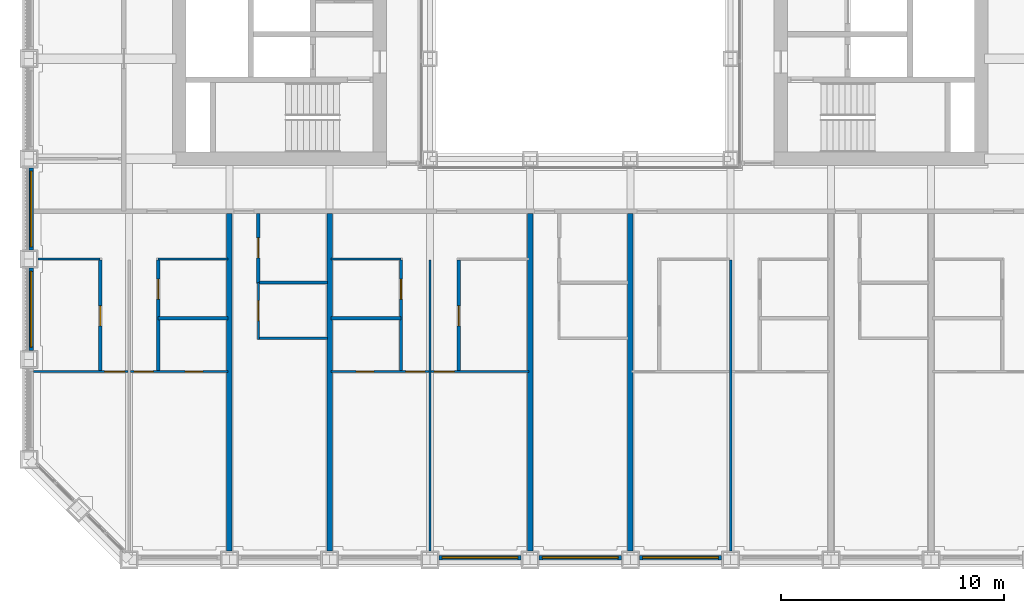
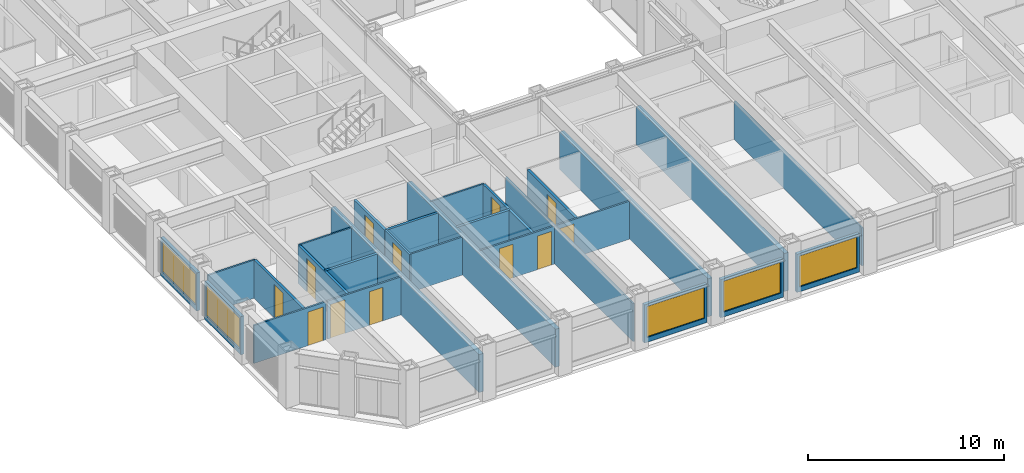
# One storey, part 9 of 21: 28 walls, 12 doors, 5 windows, 17 openings.
"""IFC4 building model written with IfcOpenShell, lengths in metres."""

from ifc_helpers import new_model, si_unit, direction, frame, frame_2d, origin, place, context, subcontext, project, spatial, rectangle, extrude, material, layer, layer_set, type_object, element, fill, save


model = new_model("IFC4")

# Units and contexts
model_context = context("Model", 3, precision=1e-05, world=origin(), true_north=direction((0.0, 1.0)))
body_context = subcontext(model_context, "Body", "Model", "MODEL_VIEW")
ifc_project = project(units=[si_unit("LENGTHUNIT", "METRE"), si_unit("AREAUNIT", "SQUARE_METRE"), si_unit("VOLUMEUNIT", "CUBIC_METRE"), si_unit("PLANEANGLEUNIT", "RADIAN"), si_unit("MASSUNIT", "GRAM", prefix="KILO")], contexts=[model_context])

# Site, building, storey
site_placement = place(None, origin())
site = spatial("IfcSite", under=ifc_project, at=site_placement, CompositionType="ELEMENT")
building_placement = place(site_placement, origin())
building = spatial("IfcBuilding", under=site, at=building_placement, Name="Msasa Ring Tower", CompositionType="ELEMENT")
storey_placement = place(building_placement, frame((0.0, 0.0, 37.0)))
storey = spatial("IfcBuildingStorey", under=building, at=storey_placement, Name="L08", CompositionType="ELEMENT", Elevation=37.0)

# Wall, opening, window
ifc_material_1 = material(Name="Terracotta rainscreen on blockwork", Category="masonry")
ifc_layer_1 = layer(ifc_material_1, 0.199951171875)
ifc_layer_set_1 = layer_set([ifc_layer_1], Name="FW1 TERRACOTTA-LINED INFILL BAY WALL 200")
wall_type_1 = type_object("IfcWallType", Name="FW1 TERRACOTTA-LINED INFILL BAY WALL 200", PredefinedType="SOLIDWALL", material=ifc_layer_set_1)
wall_1_placement = place(storey_placement, frame((-6.344970703125, -24.64990234375, 0.0), z_axis=(0.0, 0.0, 1.0), x_axis=(1.0, 0.0, 0.0)))
wall_1 = element("IfcWall", 1, at=wall_1_placement, inside=storey, type_object=wall_type_1, Name="Infill bay wall S L08 03", PredefinedType="SOLIDWALL", context=body_context, shape_type="SweptSolid", body=[
    extrude(rectangle(XDim=3.68994140625, YDim=0.199951171875, at=frame_2d((1.844970703125, 0.0))), origin(), (0.0, 0.0, 1.0), 2.37890625),
])
opening_1_placement = place(wall_1_placement, frame((0.14501953125, 0.0, 0.300048828125)))
opening_1 = element("IfcOpeningElement", 2, at=opening_1_placement, cuts=wall_1, Name="Opening WN1", PredefinedType="OPENING", context=body_context, shape_type="SweptSolid", body=[
    extrude(rectangle(XDim=3.39990234375, YDim=1.928955078125, at=frame_2d((1.699951171875, 0.96435546875))), frame((0.0, 0.10986328125, 0.0), z_axis=(0.0, -1.0, 0.0), x_axis=(1.0, 0.0, 0.0)), (0.0, 0.0, 1.0), 0.219970703125),
])
ifc_material_2 = material(Name="Aluminium frame with clear glass", Category="aluminium")
window_type = type_object("IfcWindowType", Name="WN1 RESIDENCE WINDOW 3400x1929", PartitioningType="SINGLE_PANEL", PredefinedType="WINDOW", material=ifc_material_2)
window_1_placement = place(opening_1_placement, origin())
window_1 = element("IfcWindow", 3, at=window_1_placement, inside=storey, type_object=window_type, Name="Window S L08 03", OverallHeight=1.928955078125, OverallWidth=3.39990234375, PartitioningType="SINGLE_PANEL", PredefinedType="WINDOW", context=body_context, shape_type="SweptSolid", body=[
    extrude(rectangle(XDim=3.39990234375, YDim=1.928955078125, at=frame_2d((1.699951171875, 0.96435546875))), frame((0.0, 0.030029296875, 0.0), z_axis=(0.0, -1.0, 0.0), x_axis=(1.0, 0.0, 0.0)), (0.0, 0.0, 1.0), 0.06005859375),
])
fill(opening_1, window_1)

wall_2_placement = place(storey_placement, frame((-1.844970703125, -24.64990234375, 0.0), z_axis=(0.0, 0.0, 1.0), x_axis=(1.0, 0.0, 0.0)))
wall_2 = element("IfcWall", 4, at=wall_2_placement, inside=storey, type_object=wall_type_1, Name="Infill bay wall S L08 04", PredefinedType="SOLIDWALL", context=body_context, shape_type="SweptSolid", body=[
    extrude(rectangle(XDim=3.68994140625, YDim=0.199951171875, at=frame_2d((1.844970703125, 0.0))), origin(), (0.0, 0.0, 1.0), 2.37890625),
])
opening_2_placement = place(wall_2_placement, frame((0.14501953125, 0.0, 0.300048828125)))
opening_2 = element("IfcOpeningElement", 5, at=opening_2_placement, cuts=wall_2, Name="Opening WN1", PredefinedType="OPENING", context=body_context, shape_type="SweptSolid", body=[
    extrude(rectangle(XDim=3.39990234375, YDim=1.928955078125, at=frame_2d((1.699951171875, 0.96435546875))), frame((0.0, 0.10986328125, 0.0), z_axis=(0.0, -1.0, 0.0), x_axis=(1.0, 0.0, 0.0)), (0.0, 0.0, 1.0), 0.219970703125),
])
window_2_placement = place(opening_2_placement, origin())
window_2 = element("IfcWindow", 6, at=window_2_placement, inside=storey, type_object=window_type, Name="Window S L08 04", OverallHeight=1.928955078125, OverallWidth=3.39990234375, PartitioningType="SINGLE_PANEL", PredefinedType="WINDOW", context=body_context, shape_type="SweptSolid", body=[
    extrude(rectangle(XDim=3.39990234375, YDim=1.928955078125, at=frame_2d((1.699951171875, 0.96435546875))), frame((0.0, 0.030029296875, 0.0), z_axis=(0.0, -1.0, 0.0), x_axis=(1.0, 0.0, 0.0)), (0.0, 0.0, 1.0), 0.06005859375),
])
fill(opening_2, window_2)

wall_3_placement = place(storey_placement, frame((2.655029296875, -24.64990234375, 0.0), z_axis=(0.0, 0.0, 1.0), x_axis=(1.0, 0.0, 0.0)))
wall_3 = element("IfcWall", 7, at=wall_3_placement, inside=storey, type_object=wall_type_1, Name="Infill bay wall S L08 05", PredefinedType="SOLIDWALL", context=body_context, shape_type="SweptSolid", body=[
    extrude(rectangle(XDim=3.68994140625, YDim=0.199951171875, at=frame_2d((1.844970703125, 0.0))), origin(), (0.0, 0.0, 1.0), 2.37890625),
])
opening_3_placement = place(wall_3_placement, frame((0.14501953125, 0.0, 0.300048828125)))
opening_3 = element("IfcOpeningElement", 8, at=opening_3_placement, cuts=wall_3, Name="Opening WN1", PredefinedType="OPENING", context=body_context, shape_type="SweptSolid", body=[
    extrude(rectangle(XDim=3.39990234375, YDim=1.928955078125, at=frame_2d((1.699951171875, 0.96435546875))), frame((0.0, 0.10986328125, 0.0), z_axis=(0.0, -1.0, 0.0), x_axis=(1.0, 0.0, 0.0)), (0.0, 0.0, 1.0), 0.219970703125),
])
window_3_placement = place(opening_3_placement, origin())
window_3 = element("IfcWindow", 9, at=window_3_placement, inside=storey, type_object=window_type, Name="Window S L08 05", OverallHeight=1.928955078125, OverallWidth=3.39990234375, PartitioningType="SINGLE_PANEL", PredefinedType="WINDOW", context=body_context, shape_type="SweptSolid", body=[
    extrude(rectangle(XDim=3.39990234375, YDim=1.928955078125, at=frame_2d((1.699951171875, 0.96435546875))), frame((0.0, 0.030029296875, 0.0), z_axis=(0.0, -1.0, 0.0), x_axis=(1.0, 0.0, 0.0)), (0.0, 0.0, 1.0), 0.06005859375),
])
fill(opening_3, window_3)

wall_4_placement = place(storey_placement, frame((-24.64990234375, -15.344970703125, 0.0), z_axis=(0.0, 0.0, 1.0), x_axis=(0.0, 1.0, 0.0)))
wall_4 = element("IfcWall", 10, at=wall_4_placement, inside=storey, type_object=wall_type_1, Name="Infill bay wall W L08 34", PredefinedType="SOLIDWALL", context=body_context, shape_type="SweptSolid", body=[
    extrude(rectangle(XDim=3.68994140625, YDim=0.199951171875, at=frame_2d((1.844970703125, 0.0))), origin(), (0.0, 0.0, 1.0), 2.37890625),
])
opening_4_placement = place(wall_4_placement, frame((0.14501953125, 0.0, 0.300048828125)))
opening_4 = element("IfcOpeningElement", 11, at=opening_4_placement, cuts=wall_4, Name="Opening WN1", PredefinedType="OPENING", context=body_context, shape_type="SweptSolid", body=[
    extrude(rectangle(XDim=3.39990234375, YDim=1.928955078125, at=frame_2d((1.699951171875, 0.96435546875))), frame((0.0, 0.10986328125, 0.0), z_axis=(0.0, -1.0, 0.0), x_axis=(1.0, 0.0, 0.0)), (0.0, 0.0, 1.0), 0.219970703125),
])
window_4_placement = place(opening_4_placement, origin())
window_4 = element("IfcWindow", 12, at=window_4_placement, inside=storey, type_object=window_type, Name="Window W L08 34", OverallHeight=1.928955078125, OverallWidth=3.39990234375, PartitioningType="SINGLE_PANEL", PredefinedType="WINDOW", context=body_context, shape_type="SweptSolid", body=[
    extrude(rectangle(XDim=3.39990234375, YDim=1.928955078125, at=frame_2d((1.699951171875, 0.96435546875))), frame((0.0, 0.030029296875, 0.0), z_axis=(0.0, -1.0, 0.0), x_axis=(1.0, 0.0, 0.0)), (0.0, 0.0, 1.0), 0.06005859375),
])
fill(opening_4, window_4)

wall_5_placement = place(storey_placement, frame((-24.64990234375, -10.844970703125, 0.0), z_axis=(0.0, 0.0, 1.0), x_axis=(0.0, 1.0, 0.0)))
wall_5 = element("IfcWall", 13, at=wall_5_placement, inside=storey, type_object=wall_type_1, Name="Infill bay wall W L08 35", PredefinedType="SOLIDWALL", context=body_context, shape_type="SweptSolid", body=[
    extrude(rectangle(XDim=3.68994140625, YDim=0.199951171875, at=frame_2d((1.844970703125, 0.0))), origin(), (0.0, 0.0, 1.0), 2.37890625),
])
opening_5_placement = place(wall_5_placement, frame((0.14501953125, 0.0, 0.300048828125)))
opening_5 = element("IfcOpeningElement", 14, at=opening_5_placement, cuts=wall_5, Name="Opening WN1", PredefinedType="OPENING", context=body_context, shape_type="SweptSolid", body=[
    extrude(rectangle(XDim=3.39990234375, YDim=1.928955078125, at=frame_2d((1.699951171875, 0.96435546875))), frame((0.0, 0.10986328125, 0.0), z_axis=(0.0, -1.0, 0.0), x_axis=(1.0, 0.0, 0.0)), (0.0, 0.0, 1.0), 0.219970703125),
])
window_5_placement = place(opening_5_placement, origin())
window_5 = element("IfcWindow", 15, at=window_5_placement, inside=storey, type_object=window_type, Name="Window W L08 35", OverallHeight=1.928955078125, OverallWidth=3.39990234375, PartitioningType="SINGLE_PANEL", PredefinedType="WINDOW", context=body_context, shape_type="SweptSolid", body=[
    extrude(rectangle(XDim=3.39990234375, YDim=1.928955078125, at=frame_2d((1.699951171875, 0.96435546875))), frame((0.0, 0.030029296875, 0.0), z_axis=(0.0, -1.0, 0.0), x_axis=(1.0, 0.0, 0.0)), (0.0, 0.0, 1.0), 0.06005859375),
])
fill(opening_5, window_5)

# Wall
ifc_material_3 = material(Name="Gypsum board on steel studs", Category="steel")
ifc_layer_2 = layer(ifc_material_3, 0.10009765625)
ifc_layer_set_2 = layer_set([ifc_layer_2], Name="PT2 STUD PARTITION 100")
wall_type_2 = type_object("IfcWallType", Name="PT2 STUD PARTITION 100", PredefinedType="PARTITIONING", material=ifc_layer_set_2)
wall_6_placement = place(storey_placement, frame((-24.35009765625, -11.25, 0.0), z_axis=(0.0, 0.0, 1.0), x_axis=(1.0, 0.0, 0.0)))
element("IfcWall", 16, at=wall_6_placement, inside=storey, type_object=wall_type_2, Name="Partition L08-US00HY0", PredefinedType="PARTITIONING", context=body_context, shape_type="SweptSolid", body=[
    extrude(rectangle(XDim=2.800048828125, YDim=0.10009765625, at=frame_2d((1.39990234375, 0.0))), origin(), (0.0, 0.0, 1.0), 2.373291015625),
])

# Wall, opening, door
wall_7_placement = place(storey_placement, frame((-24.550048828125, -16.300048828125, 0.0), z_axis=(0.0, 0.0, 1.0), x_axis=(1.0, 0.0, 0.0)))
wall_7 = element("IfcWall", 17, at=wall_7_placement, inside=storey, type_object=wall_type_2, Name="Partition L08-US00SY0", PredefinedType="PARTITIONING", context=body_context, shape_type="SweptSolid", body=[
    extrude(rectangle(XDim=4.25, YDim=0.10009765625, at=frame_2d((2.125, 0.0))), origin(), (0.0, 0.0, 1.0), 2.373291015625),
])
opening_6_placement = place(wall_7_placement, frame((3.199951171875, 0.0, 0.0)))
opening_6 = element("IfcOpeningElement", 18, at=opening_6_placement, cuts=wall_7, Name="Opening RB-074", PredefinedType="OPENING", context=body_context, shape_type="SweptSolid", body=[
    extrude(rectangle(XDim=0.89990234375, YDim=2.10009765625, at=frame_2d((0.449951171875, 1.050048828125))), frame((0.0, 0.06005859375, 0.0), z_axis=(0.0, -1.0, 0.0), x_axis=(1.0, 0.0, 0.0)), (0.0, 0.0, 1.0), 0.1201171875),
])
ifc_material_4 = material(Name="Timber door leaf in a steel frame", Category="steel")
door_type_1 = type_object("IfcDoorType", Name="D22 INTERNAL HALL DOOR 900x2100", OperationType="SINGLE_SWING_LEFT", PredefinedType="DOOR", material=ifc_material_4)
door_1_placement = place(opening_6_placement, origin())
door_1 = element("IfcDoor", 19, at=door_1_placement, inside=storey, type_object=door_type_1, Name="Door L08-US00L", OperationType="SINGLE_SWING_RIGHT", OverallHeight=2.10009765625, OverallWidth=0.89990234375, PredefinedType="DOOR", context=body_context, shape_type="SweptSolid", body=[
    extrude(rectangle(XDim=0.89990234375, YDim=2.10009765625, at=frame_2d((0.449951171875, 1.050048828125))), frame((0.0, 0.02490234375, 0.0), z_axis=(0.0, -1.0, 0.0), x_axis=(1.0, 0.0, 0.0)), (0.0, 0.0, 1.0), 0.050048828125),
])
fill(opening_6, door_1)

# Wall
wall_8_placement = place(storey_placement, frame((-18.949951171875, -11.25, 0.0), z_axis=(0.0, 0.0, 1.0), x_axis=(1.0, 0.0, 0.0)))
element("IfcWall", 20, at=wall_8_placement, inside=storey, type_object=wall_type_2, Name="Partition L08-US00HY1", PredefinedType="PARTITIONING", context=body_context, shape_type="SweptSolid", body=[
    extrude(rectangle(XDim=3.139892578125, YDim=0.10009765625, at=frame_2d((1.56982421875, 0.0))), origin(), (0.0, 0.0, 1.0), 2.373291015625),
])

# Wall, openings, doors
wall_9_placement = place(storey_placement, frame((-20.199951171875, -16.300048828125, 0.0), z_axis=(0.0, 0.0, 1.0), x_axis=(1.0, 0.0, 0.0)))
wall_9 = element("IfcWall", 21, at=wall_9_placement, inside=storey, type_object=wall_type_2, Name="Partition L08-US00SY1", PredefinedType="PARTITIONING", context=body_context, shape_type="SweptSolid", body=[
    extrude(rectangle(XDim=4.389892578125, YDim=0.10009765625, at=frame_2d((2.19482421875, 0.0))), origin(), (0.0, 0.0, 1.0), 2.373291015625),
])
opening_7_placement = place(wall_9_placement, frame((0.175048828125, 0.0, 0.0)))
opening_7 = element("IfcOpeningElement", 22, at=opening_7_placement, cuts=wall_9, Name="Opening RB-075", PredefinedType="OPENING", context=body_context, shape_type="SweptSolid", body=[
    extrude(rectangle(XDim=0.85009765625, YDim=2.10009765625, at=frame_2d((0.425048828125, 1.050048828125))), frame((0.0, 0.06005859375, 0.0), z_axis=(0.0, -1.0, 0.0), x_axis=(1.0, 0.0, 0.0)), (0.0, 0.0, 1.0), 0.1201171875),
])
opening_8_placement = place(wall_9_placement, frame((2.4599609375, 0.0, 0.0)))
opening_8 = element("IfcOpeningElement", 23, at=opening_8_placement, cuts=wall_9, Name="Opening RB-076", PredefinedType="OPENING", context=body_context, shape_type="SweptSolid", body=[
    extrude(rectangle(XDim=0.800048828125, YDim=2.10009765625, at=frame_2d((0.39990234375, 1.050048828125))), frame((0.0, 0.06005859375, 0.0), z_axis=(0.0, -1.0, 0.0), x_axis=(1.0, 0.0, 0.0)), (0.0, 0.0, 1.0), 0.1201171875),
])
ifc_material_5 = material(Name="Timber door leaf in a steel frame", Category="steel")
door_type_2 = type_object("IfcDoorType", Name="D14 BEDROOM DOOR 850x2100", OperationType="SINGLE_SWING_LEFT", PredefinedType="DOOR", material=ifc_material_5)
door_2_placement = place(opening_7_placement, origin())
door_2 = element("IfcDoor", 24, at=door_2_placement, inside=storey, type_object=door_type_2, Name="Door L08-US00R1", OperationType="SINGLE_SWING_LEFT", OverallHeight=2.10009765625, OverallWidth=0.85009765625, PredefinedType="DOOR", context=body_context, shape_type="SweptSolid", body=[
    extrude(rectangle(XDim=0.85009765625, YDim=2.10009765625, at=frame_2d((0.425048828125, 1.050048828125))), frame((0.0, 0.02490234375, 0.0), z_axis=(0.0, -1.0, 0.0), x_axis=(1.0, 0.0, 0.0)), (0.0, 0.0, 1.0), 0.050048828125),
])
fill(opening_7, door_2)
ifc_material_6 = material(Name="Timber door leaf in a steel frame", Category="steel")
door_type_3 = type_object("IfcDoorType", Name="D60 DRESSING ROOM DOOR 800x2100", OperationType="SINGLE_SWING_LEFT", PredefinedType="DOOR", material=ifc_material_6)
door_3_placement = place(opening_8_placement, origin())
door_3 = element("IfcDoor", 25, at=door_3_placement, inside=storey, type_object=door_type_3, Name="Door L08-US00W1", OperationType="SINGLE_SWING_RIGHT", OverallHeight=2.10009765625, OverallWidth=0.800048828125, PredefinedType="DOOR", context=body_context, shape_type="SweptSolid", body=[
    extrude(rectangle(XDim=0.800048828125, YDim=2.10009765625, at=frame_2d((0.39990234375, 1.050048828125))), frame((0.0, 0.02490234375, 0.0), z_axis=(0.0, -1.0, 0.0), x_axis=(1.0, 0.0, 0.0)), (0.0, 0.0, 1.0), 0.050048828125),
])
fill(opening_8, door_3)

# Wall
wall_10_placement = place(storey_placement, frame((-14.39990234375, -14.800048828125, 0.0), z_axis=(0.0, 0.0, 1.0), x_axis=(1.0, 0.0, 0.0)))
element("IfcWall", 26, at=wall_10_placement, inside=storey, type_object=wall_type_2, Name="Partition L08-US01KY", PredefinedType="PARTITIONING", context=body_context, shape_type="SweptSolid", body=[
    extrude(rectangle(XDim=3.0498046875, YDim=0.10009765625, at=frame_2d((1.52490234375, 0.0))), origin(), (0.0, 0.0, 1.0), 2.373291015625),
])

# Wall, opening, door
wall_11_placement = place(storey_placement, frame((-14.449951171875, -14.85009765625, 0.0), z_axis=(0.0, 0.0, 1.0), x_axis=(0.0, 1.0, 0.0)))
wall_11 = element("IfcWall", 27, at=wall_11_placement, inside=storey, type_object=wall_type_2, Name="Partition L08-US01KX", PredefinedType="PARTITIONING", context=body_context, shape_type="SweptSolid", body=[
    extrude(rectangle(XDim=2.550048828125, YDim=0.10009765625, at=frame_2d((1.27490234375, 0.0))), origin(), (0.0, 0.0, 1.0), 2.373291015625),
])
opening_9_placement = place(wall_11_placement, frame((0.840087890625, 0.0, 0.0)))
opening_9 = element("IfcOpeningElement", 28, at=opening_9_placement, cuts=wall_11, Name="Opening RB-067", PredefinedType="OPENING", context=body_context, shape_type="SweptSolid", body=[
    extrude(rectangle(XDim=0.89990234375, YDim=2.10009765625, at=frame_2d((0.449951171875, 1.050048828125))), frame((0.0, 0.06005859375, 0.0), z_axis=(0.0, -1.0, 0.0), x_axis=(1.0, 0.0, 0.0)), (0.0, 0.0, 1.0), 0.1201171875),
])
door_4_placement = place(opening_9_placement, origin())
door_4 = element("IfcDoor", 29, at=door_4_placement, inside=storey, type_object=door_type_1, Name="Door L08-US01K", OperationType="SINGLE_SWING_LEFT", OverallHeight=2.10009765625, OverallWidth=0.89990234375, PredefinedType="DOOR", context=body_context, shape_type="SweptSolid", body=[
    extrude(rectangle(XDim=0.89990234375, YDim=2.10009765625, at=frame_2d((0.449951171875, 1.050048828125))), frame((0.0, 0.02490234375, 0.0), z_axis=(0.0, -1.0, 0.0), x_axis=(1.0, 0.0, 0.0)), (0.0, 0.0, 1.0), 0.050048828125),
])
fill(opening_9, door_4)

wall_12_placement = place(storey_placement, frame((-6.699951171875, -16.300048828125, 0.0), z_axis=(0.0, 0.0, 1.0), x_axis=(1.0, 0.0, 0.0)))
wall_12 = element("IfcWall", 30, at=wall_12_placement, inside=storey, type_object=wall_type_2, Name="Partition L08-US02SY0", PredefinedType="PARTITIONING", context=body_context, shape_type="SweptSolid", body=[
    extrude(rectangle(XDim=4.389892578125, YDim=0.10009765625, at=frame_2d((2.19482421875, 0.0))), origin(), (0.0, 0.0, 1.0), 2.373291015625),
])
opening_10_placement = place(wall_12_placement, frame((0.14990234375, 0.0, 0.0)))
opening_10 = element("IfcOpeningElement", 31, at=opening_10_placement, cuts=wall_12, Name="Opening RB-079", PredefinedType="OPENING", context=body_context, shape_type="SweptSolid", body=[
    extrude(rectangle(XDim=0.89990234375, YDim=2.10009765625, at=frame_2d((0.449951171875, 1.050048828125))), frame((0.0, 0.06005859375, 0.0), z_axis=(0.0, -1.0, 0.0), x_axis=(1.0, 0.0, 0.0)), (0.0, 0.0, 1.0), 0.1201171875),
])
door_5_placement = place(opening_10_placement, origin())
door_5 = element("IfcDoor", 32, at=door_5_placement, inside=storey, type_object=door_type_1, Name="Door L08-US02L", OperationType="SINGLE_SWING_LEFT", OverallHeight=2.10009765625, OverallWidth=0.89990234375, PredefinedType="DOOR", context=body_context, shape_type="SweptSolid", body=[
    extrude(rectangle(XDim=0.89990234375, YDim=2.10009765625, at=frame_2d((0.449951171875, 1.050048828125))), frame((0.0, 0.02490234375, 0.0), z_axis=(0.0, -1.0, 0.0), x_axis=(1.0, 0.0, 0.0)), (0.0, 0.0, 1.0), 0.050048828125),
])
fill(opening_10, door_5)

# Walls
wall_13_placement = place(storey_placement, frame((-6.75, -24.35009765625, 0.0), z_axis=(0.0, 0.0, 1.0), x_axis=(0.0, 1.0, 0.0)))
element("IfcWall", 33, at=wall_13_placement, inside=storey, type_object=wall_type_2, Name="Partition L08-US02P1", PredefinedType="PARTITIONING", context=body_context, shape_type="SweptSolid", body=[
    extrude(rectangle(XDim=13.050048828125, YDim=0.10009765625, at=frame_2d((6.52490234375, 0.0))), origin(), (0.0, 0.0, 1.0), 2.373291015625),
])
wall_14_placement = place(storey_placement, frame((-11.18994140625, -11.25, 0.0), z_axis=(0.0, 0.0, 1.0), x_axis=(1.0, 0.0, 0.0)))
element("IfcWall", 34, at=wall_14_placement, inside=storey, type_object=wall_type_2, Name="Partition L08-US02HY1", PredefinedType="PARTITIONING", context=body_context, shape_type="SweptSolid", body=[
    extrude(rectangle(XDim=3.139892578125, YDim=0.10009765625, at=frame_2d((1.56982421875, 0.0))), origin(), (0.0, 0.0, 1.0), 2.373291015625),
])

# Wall, openings, doors
wall_15_placement = place(storey_placement, frame((-11.18994140625, -16.300048828125, 0.0), z_axis=(0.0, 0.0, 1.0), x_axis=(1.0, 0.0, 0.0)))
wall_15 = element("IfcWall", 35, at=wall_15_placement, inside=storey, type_object=wall_type_2, Name="Partition L08-US02SY1", PredefinedType="PARTITIONING", context=body_context, shape_type="SweptSolid", body=[
    extrude(rectangle(XDim=4.389892578125, YDim=0.10009765625, at=frame_2d((2.19482421875, 0.0))), origin(), (0.0, 0.0, 1.0), 2.373291015625),
])
opening_11_placement = place(wall_15_placement, frame((3.364990234375, 0.0, 0.0)))
opening_11 = element("IfcOpeningElement", 36, at=opening_11_placement, cuts=wall_15, Name="Opening RB-078", PredefinedType="OPENING", context=body_context, shape_type="SweptSolid", body=[
    extrude(rectangle(XDim=0.85009765625, YDim=2.10009765625, at=frame_2d((0.425048828125, 1.050048828125))), frame((0.0, 0.06005859375, 0.0), z_axis=(0.0, -1.0, 0.0), x_axis=(1.0, 0.0, 0.0)), (0.0, 0.0, 1.0), 0.1201171875),
])
opening_12_placement = place(wall_15_placement, frame((1.1298828125, 0.0, 0.0)))
opening_12 = element("IfcOpeningElement", 37, at=opening_12_placement, cuts=wall_15, Name="Opening RB-077", PredefinedType="OPENING", context=body_context, shape_type="SweptSolid", body=[
    extrude(rectangle(XDim=0.800048828125, YDim=2.10009765625, at=frame_2d((0.39990234375, 1.050048828125))), frame((0.0, 0.06005859375, 0.0), z_axis=(0.0, -1.0, 0.0), x_axis=(1.0, 0.0, 0.0)), (0.0, 0.0, 1.0), 0.1201171875),
])
door_6_placement = place(opening_11_placement, origin())
door_6 = element("IfcDoor", 38, at=door_6_placement, inside=storey, type_object=door_type_2, Name="Door L08-US02R1", OperationType="SINGLE_SWING_RIGHT", OverallHeight=2.10009765625, OverallWidth=0.85009765625, PredefinedType="DOOR", context=body_context, shape_type="SweptSolid", body=[
    extrude(rectangle(XDim=0.85009765625, YDim=2.10009765625, at=frame_2d((0.425048828125, 1.050048828125))), frame((0.0, 0.02490234375, 0.0), z_axis=(0.0, -1.0, 0.0), x_axis=(1.0, 0.0, 0.0)), (0.0, 0.0, 1.0), 0.050048828125),
])
fill(opening_11, door_6)
door_7_placement = place(opening_12_placement, origin())
door_7 = element("IfcDoor", 39, at=door_7_placement, inside=storey, type_object=door_type_3, Name="Door L08-US02W1", OperationType="SINGLE_SWING_LEFT", OverallHeight=2.10009765625, OverallWidth=0.800048828125, PredefinedType="DOOR", context=body_context, shape_type="SweptSolid", body=[
    extrude(rectangle(XDim=0.800048828125, YDim=2.10009765625, at=frame_2d((0.39990234375, 1.050048828125))), frame((0.0, 0.02490234375, 0.0), z_axis=(0.0, -1.0, 0.0), x_axis=(1.0, 0.0, 0.0)), (0.0, 0.0, 1.0), 0.050048828125),
])
fill(opening_12, door_7)

# Walls
wall_16_placement = place(storey_placement, frame((6.75, -24.35009765625, 0.0), z_axis=(0.0, 0.0, 1.0), x_axis=(0.0, 1.0, 0.0)))
element("IfcWall", 40, at=wall_16_placement, inside=storey, type_object=wall_type_2, Name="Partition L08-US04P1", PredefinedType="PARTITIONING", context=body_context, shape_type="SweptSolid", body=[
    extrude(rectangle(XDim=13.050048828125, YDim=0.10009765625, at=frame_2d((6.52490234375, 0.0))), origin(), (0.0, 0.0, 1.0), 2.373291015625),
])
ifc_material_7 = material(Name="Dense concrete blockwork, plastered both faces", Category="masonry")
ifc_layer_3 = layer(ifc_material_7, 0.25)
ifc_layer_set_3 = layer_set([ifc_layer_3], Name="PT3 APARTMENT SEPARATING WALL 250")
wall_type_3 = type_object("IfcWallType", Name="PT3 APARTMENT SEPARATING WALL 250", PredefinedType="PARTITIONING", material=ifc_layer_set_3)
for number, where, z_axis, x_axis, name in (
    (41, (-15.75, -24.35009765625, 0.0), (0.0, 0.0, 1.0), (0.0, 1.0, 0.0), "Party wall L08-PWS-15.75"),
    (42, (-11.25, -24.35009765625, 0.0), (0.0, 0.0, 1.0), (0.0, 1.0, 0.0), "Party wall L08-PWS-11.25"),
    (43, (-2.25, -24.35009765625, 0.0), (0.0, 0.0, 1.0), (0.0, 1.0, 0.0), "Party wall L08-PWS-2.25"),
    (44, (2.25, -24.35009765625, 0.0), (0.0, 0.0, 1.0), (0.0, 1.0, 0.0), "Party wall L08-PWS+2.25"),
):
    element("IfcWall", number, at=place(storey_placement, frame(where, z_axis=z_axis, x_axis=x_axis)), inside=storey, type_object=wall_type_3, Name=name, PredefinedType="PARTITIONING", context=body_context, shape_type="SweptSolid", body=[
        extrude(rectangle(XDim=15.150146484375, YDim=0.25, at=frame_2d((7.5751953125, 0.0))), origin(), (0.0, 0.0, 1.0), 2.373291015625),
    ])

# Wall, opening, door
ifc_material_8 = material(Name="Moisture-resistant board on steel studs with a concealed cistern and pipe void, tiled", Category="steel")
ifc_layer_4 = layer(ifc_material_8, 0.14990234375)
ifc_layer_set_4 = layer_set([ifc_layer_4], Name="PT4 BATHROOM WET WALL 150")
wall_type_4 = type_object("IfcWallType", Name="PT4 BATHROOM WET WALL 150", PredefinedType="PARTITIONING", material=ifc_layer_set_4)
wall_17_placement = place(storey_placement, frame((-21.550048828125, -16.300048828125, 0.0), z_axis=(0.0, 0.0, 1.0), x_axis=(0.0, 1.0, 0.0)))
wall_17 = element("IfcWall", 45, at=wall_17_placement, inside=storey, type_object=wall_type_4, Name="Partition L08-US00SX0", PredefinedType="PARTITIONING", context=body_context, shape_type="SweptSolid", body=[
    extrude(rectangle(XDim=5.0, YDim=0.14990234375, at=frame_2d((2.5, 0.0))), origin(), (0.0, 0.0, 1.0), 2.373291015625),
])
opening_13_placement = place(wall_17_placement, frame((2.050048828125, 0.0, 0.0)))
opening_13 = element("IfcOpeningElement", 46, at=opening_13_placement, cuts=wall_17, Name="Opening RB-070", PredefinedType="OPENING", context=body_context, shape_type="SweptSolid", body=[
    extrude(rectangle(XDim=0.89990234375, YDim=2.10009765625, at=frame_2d((0.449951171875, 1.050048828125))), frame((0.0, 0.0849609375, 0.0), z_axis=(0.0, -1.0, 0.0), x_axis=(1.0, 0.0, 0.0)), (0.0, 0.0, 1.0), 0.169921875),
])
door_8_placement = place(opening_13_placement, origin())
door_8 = element("IfcDoor", 47, at=door_8_placement, inside=storey, type_object=door_type_1, Name="Door L08-US00K", OperationType="SINGLE_SWING_LEFT", OverallHeight=2.10009765625, OverallWidth=0.89990234375, PredefinedType="DOOR", context=body_context, shape_type="SweptSolid", body=[
    extrude(rectangle(XDim=0.89990234375, YDim=2.10009765625, at=frame_2d((0.449951171875, 1.050048828125))), frame((0.0, 0.02490234375, 0.0), z_axis=(0.0, -1.0, 0.0), x_axis=(1.0, 0.0, 0.0)), (0.0, 0.0, 1.0), 0.050048828125),
])
fill(opening_13, door_8)

wall_18_placement = place(storey_placement, frame((-18.949951171875, -16.300048828125, 0.0), z_axis=(0.0, 0.0, 1.0), x_axis=(0.0, 1.0, 0.0)))
wall_18 = element("IfcWall", 48, at=wall_18_placement, inside=storey, type_object=wall_type_4, Name="Partition L08-US00SX1", PredefinedType="PARTITIONING", context=body_context, shape_type="SweptSolid", body=[
    extrude(rectangle(XDim=5.0, YDim=0.14990234375, at=frame_2d((2.5, 0.0))), origin(), (0.0, 0.0, 1.0), 2.373291015625),
])
opening_14_placement = place(wall_18_placement, frame((3.25, 0.0, 0.0)))
opening_14 = element("IfcOpeningElement", 49, at=opening_14_placement, cuts=wall_18, Name="Opening RB-063", PredefinedType="OPENING", context=body_context, shape_type="SweptSolid", body=[
    extrude(rectangle(XDim=0.89990234375, YDim=2.10009765625, at=frame_2d((0.449951171875, 1.050048828125))), frame((0.0, 0.0849609375, 0.0), z_axis=(0.0, -1.0, 0.0), x_axis=(1.0, 0.0, 0.0)), (0.0, 0.0, 1.0), 0.169921875),
])
ifc_material_9 = material(Name="Timber door leaf in a steel frame", Category="steel")
door_type_4 = type_object("IfcDoorType", Name="D3 BATHROOM DOOR 900x2100", OperationType="SINGLE_SWING_LEFT", PredefinedType="DOOR", material=ifc_material_9)
door_9_placement = place(opening_14_placement, origin())
door_9 = element("IfcDoor", 50, at=door_9_placement, inside=storey, type_object=door_type_4, Name="Door L08-US00B1", OperationType="SINGLE_SWING_RIGHT", OverallHeight=2.10009765625, OverallWidth=0.89990234375, PredefinedType="DOOR", context=body_context, shape_type="SweptSolid", body=[
    extrude(rectangle(XDim=0.89990234375, YDim=2.10009765625, at=frame_2d((0.449951171875, 1.050048828125))), frame((0.0, 0.02490234375, 0.0), z_axis=(0.0, -1.0, 0.0), x_axis=(1.0, 0.0, 0.0)), (0.0, 0.0, 1.0), 0.050048828125),
])
fill(opening_14, door_9)

# Wall
wall_19_placement = place(storey_placement, frame((-18.949951171875, -13.89990234375, 0.0), z_axis=(0.0, 0.0, 1.0), x_axis=(1.0, 0.0, 0.0)))
element("IfcWall", 51, at=wall_19_placement, inside=storey, type_object=wall_type_4, Name="Partition L08-US00SB1", PredefinedType="PARTITIONING", context=body_context, shape_type="SweptSolid", body=[
    extrude(rectangle(XDim=3.139892578125, YDim=0.14990234375, at=frame_2d((1.56982421875, 0.0))), origin(), (0.0, 0.0, 1.0), 2.373291015625),
])

# Wall, opening, door
wall_20_placement = place(storey_placement, frame((-14.449951171875, -12.35009765625, 0.0), z_axis=(0.0, 0.0, 1.0), x_axis=(0.0, 1.0, 0.0)))
wall_20 = element("IfcWall", 52, at=wall_20_placement, inside=storey, type_object=wall_type_4, Name="Partition L08-US01BX", PredefinedType="PARTITIONING", context=body_context, shape_type="SweptSolid", body=[
    extrude(rectangle(XDim=3.150146484375, YDim=0.14990234375, at=frame_2d((1.5751953125, 0.0))), origin(), (0.0, 0.0, 1.0), 2.373291015625),
])
opening_15_placement = place(wall_20_placement, frame((1.14990234375, 0.0, 0.0)))
opening_15 = element("IfcOpeningElement", 53, at=opening_15_placement, cuts=wall_20, Name="Opening RB-060", PredefinedType="OPENING", context=body_context, shape_type="SweptSolid", body=[
    extrude(rectangle(XDim=0.89990234375, YDim=2.10009765625, at=frame_2d((0.449951171875, 1.050048828125))), frame((0.0, 0.0849609375, 0.0), z_axis=(0.0, -1.0, 0.0), x_axis=(1.0, 0.0, 0.0)), (0.0, 0.0, 1.0), 0.169921875),
])
door_10_placement = place(opening_15_placement, origin())
door_10 = element("IfcDoor", 54, at=door_10_placement, inside=storey, type_object=door_type_4, Name="Door L08-US01B", OperationType="SINGLE_SWING_LEFT", OverallHeight=2.10009765625, OverallWidth=0.89990234375, PredefinedType="DOOR", context=body_context, shape_type="SweptSolid", body=[
    extrude(rectangle(XDim=0.89990234375, YDim=2.10009765625, at=frame_2d((0.449951171875, 1.050048828125))), frame((0.0, 0.02490234375, 0.0), z_axis=(0.0, -1.0, 0.0), x_axis=(1.0, 0.0, 0.0)), (0.0, 0.0, 1.0), 0.050048828125),
])
fill(opening_15, door_10)

# Wall
wall_21_placement = place(storey_placement, frame((-14.39990234375, -12.300048828125, 0.0), z_axis=(0.0, 0.0, 1.0), x_axis=(1.0, 0.0, 0.0)))
element("IfcWall", 55, at=wall_21_placement, inside=storey, type_object=wall_type_4, Name="Partition L08-US01BY", PredefinedType="PARTITIONING", context=body_context, shape_type="SweptSolid", body=[
    extrude(rectangle(XDim=3.0498046875, YDim=0.14990234375, at=frame_2d((1.52490234375, 0.0))), origin(), (0.0, 0.0, 1.0), 2.373291015625),
])

# Wall, opening, door
wall_22_placement = place(storey_placement, frame((-5.449951171875, -16.300048828125, 0.0), z_axis=(0.0, 0.0, 1.0), x_axis=(0.0, 1.0, 0.0)))
wall_22 = element("IfcWall", 56, at=wall_22_placement, inside=storey, type_object=wall_type_4, Name="Partition L08-US02SX0", PredefinedType="PARTITIONING", context=body_context, shape_type="SweptSolid", body=[
    extrude(rectangle(XDim=5.0, YDim=0.14990234375, at=frame_2d((2.5, 0.0))), origin(), (0.0, 0.0, 1.0), 2.373291015625),
])
opening_16_placement = place(wall_22_placement, frame((2.050048828125, 0.0, 0.0)))
opening_16 = element("IfcOpeningElement", 57, at=opening_16_placement, cuts=wall_22, Name="Opening RB-071", PredefinedType="OPENING", context=body_context, shape_type="SweptSolid", body=[
    extrude(rectangle(XDim=0.89990234375, YDim=2.10009765625, at=frame_2d((0.449951171875, 1.050048828125))), frame((0.0, 0.0849609375, 0.0), z_axis=(0.0, -1.0, 0.0), x_axis=(1.0, 0.0, 0.0)), (0.0, 0.0, 1.0), 0.169921875),
])
door_11_placement = place(opening_16_placement, origin())
door_11 = element("IfcDoor", 58, at=door_11_placement, inside=storey, type_object=door_type_1, Name="Door L08-US02K", OperationType="SINGLE_SWING_LEFT", OverallHeight=2.10009765625, OverallWidth=0.89990234375, PredefinedType="DOOR", context=body_context, shape_type="SweptSolid", body=[
    extrude(rectangle(XDim=0.89990234375, YDim=2.10009765625, at=frame_2d((0.449951171875, 1.050048828125))), frame((0.0, 0.02490234375, 0.0), z_axis=(0.0, -1.0, 0.0), x_axis=(1.0, 0.0, 0.0)), (0.0, 0.0, 1.0), 0.050048828125),
])
fill(opening_16, door_11)

wall_23_placement = place(storey_placement, frame((-8.050048828125, -16.300048828125, 0.0), z_axis=(0.0, 0.0, 1.0), x_axis=(0.0, 1.0, 0.0)))
wall_23 = element("IfcWall", 59, at=wall_23_placement, inside=storey, type_object=wall_type_4, Name="Partition L08-US02SX1", PredefinedType="PARTITIONING", context=body_context, shape_type="SweptSolid", body=[
    extrude(rectangle(XDim=5.0, YDim=0.14990234375, at=frame_2d((2.5, 0.0))), origin(), (0.0, 0.0, 1.0), 2.373291015625),
])
opening_17_placement = place(wall_23_placement, frame((3.25, 0.0, 0.0)))
opening_17 = element("IfcOpeningElement", 60, at=opening_17_placement, cuts=wall_23, Name="Opening RB-064", PredefinedType="OPENING", context=body_context, shape_type="SweptSolid", body=[
    extrude(rectangle(XDim=0.89990234375, YDim=2.10009765625, at=frame_2d((0.449951171875, 1.050048828125))), frame((0.0, 0.0849609375, 0.0), z_axis=(0.0, -1.0, 0.0), x_axis=(1.0, 0.0, 0.0)), (0.0, 0.0, 1.0), 0.169921875),
])
door_12_placement = place(opening_17_placement, origin())
door_12 = element("IfcDoor", 61, at=door_12_placement, inside=storey, type_object=door_type_4, Name="Door L08-US02B1", OperationType="SINGLE_SWING_RIGHT", OverallHeight=2.10009765625, OverallWidth=0.89990234375, PredefinedType="DOOR", context=body_context, shape_type="SweptSolid", body=[
    extrude(rectangle(XDim=0.89990234375, YDim=2.10009765625, at=frame_2d((0.449951171875, 1.050048828125))), frame((0.0, 0.02490234375, 0.0), z_axis=(0.0, -1.0, 0.0), x_axis=(1.0, 0.0, 0.0)), (0.0, 0.0, 1.0), 0.050048828125),
])
fill(opening_17, door_12)

# Wall
wall_24_placement = place(storey_placement, frame((-11.18994140625, -13.89990234375, 0.0), z_axis=(0.0, 0.0, 1.0), x_axis=(1.0, 0.0, 0.0)))
element("IfcWall", 62, at=wall_24_placement, inside=storey, type_object=wall_type_4, Name="Partition L08-US02SB1", PredefinedType="PARTITIONING", context=body_context, shape_type="SweptSolid", body=[
    extrude(rectangle(XDim=3.139892578125, YDim=0.14990234375, at=frame_2d((1.56982421875, 0.0))), origin(), (0.0, 0.0, 1.0), 2.373291015625),
])

save(model, "model.ifc")
